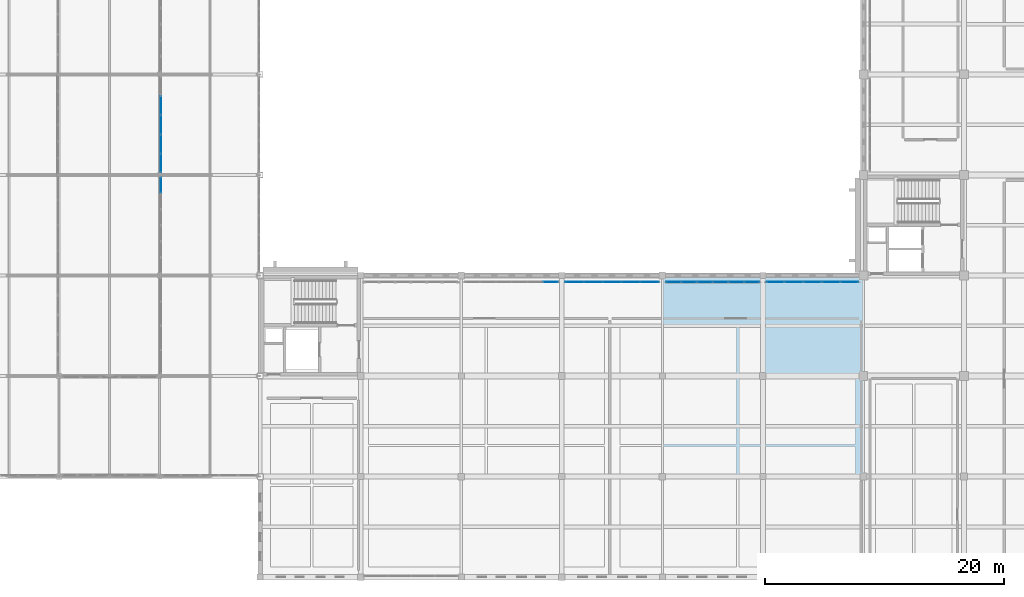
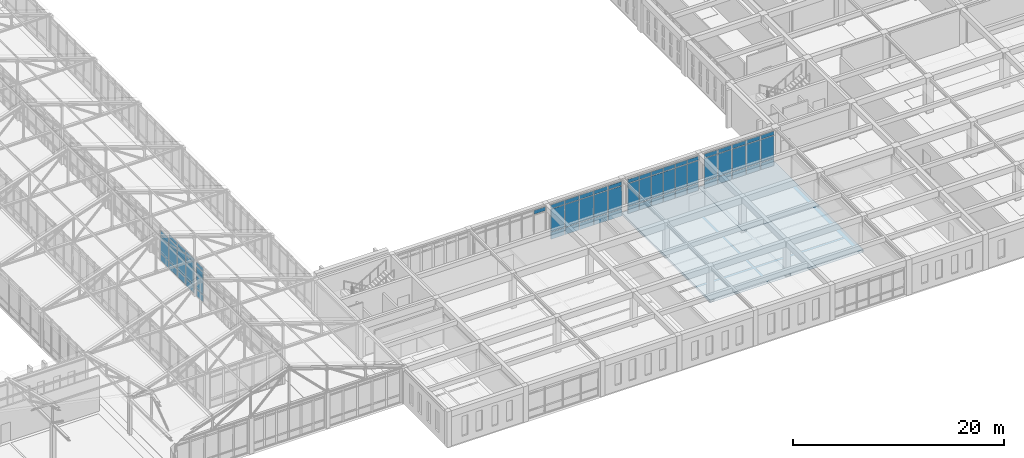
# One storey, part 117 of 192: 63 plates, 2 slabs, 6 elements without a shape of their own.
"""IFC4 building model written with IfcOpenShell, lengths in metres."""

import ifcopenshell
import ifcopenshell.guid

model = None  # the IFC model being written
_history = None  # IfcOwnerHistory: only IFC2X3 demands one
_inside = {}  # id of a spatial element -> (the spatial element, [elements in it])
_under = {}  # id of a project, library or spatial element -> (it, [spatial elements below it])
_declared = {}  # id of a project -> (the project, [libraries it declares])
_typed = {}  # id of a type object -> (the type object, [elements of that type])
_made_of = {}  # id of a material, layer set ... -> (it, [elements and type objects made of it])


def new_model(schema):
    """Start an empty IFC model of exactly this schema.

    Asked for "IFC4X3", IfcOpenShell would pick the latest addendum, in which some entities
    have other attributes; the version numbers below select the first issue.
    IFC2X3 requires an IfcOwnerHistory on every rooted entity: one is made here for all.
    """
    global model, _history
    if schema == "IFC4X3":
        model = ifcopenshell.file(schema_version=(4, 3, 0, 0))
    else:
        model = ifcopenshell.file(schema=schema)
    _inside.clear()
    _under.clear()
    _declared.clear()
    _typed.clear()
    _made_of.clear()
    _history = None
    if model.schema == "IFC2X3":
        org = make("IfcOrganization", Name="unknown")
        user = make(
            "IfcPersonAndOrganization",
            ThePerson=make("IfcPerson", FamilyName="unknown"),
            TheOrganization=org,
        )
        app = make(
            "IfcApplication",
            ApplicationDeveloper=org,
            Version="unknown",
            ApplicationFullName="unknown",
            ApplicationIdentifier="unknown",
        )
        _history = make(
            "IfcOwnerHistory",
            OwningUser=user,
            OwningApplication=app,
            ChangeAction="ADDED",
            CreationDate=0,
        )
    return model


def make(cls, **values):
    """One entity of the class cls with the attributes given. An attribute that is None is left unset."""
    return model.create_entity(
        cls, **{name: value for name, value in values.items() if value is not None}
    )


def rooted(cls, **values):
    """An entity with a GlobalId (a new one), such as an element, a storey or a relation."""
    return make(cls, GlobalId=ifcopenshell.guid.new(), OwnerHistory=_history, **values)


def si_unit(unit_type, name, prefix=None):
    """IfcSIUnit, for example si_unit("LENGTHUNIT", "METRE", prefix="MILLI")."""
    return make("IfcSIUnit", UnitType=unit_type, Prefix=prefix, Name=name)


def assignment(units):
    """IfcUnitAssignment: the units of a project."""
    return None if units is None else make("IfcUnitAssignment", Units=units)


def point(xyz):
    """IfcCartesianPoint."""
    return None if xyz is None else make("IfcCartesianPoint", Coordinates=xyz)


def direction(xyz):
    """IfcDirection."""
    return None if xyz is None else make("IfcDirection", DirectionRatios=xyz)


def frame(location, z_axis=None, x_axis=None):
    """IfcAxis2Placement3D, a coordinate frame: its origin and axes. An axis left out is left unset."""
    return make(
        "IfcAxis2Placement3D",
        Location=point(location),
        Axis=direction(z_axis),
        RefDirection=direction(x_axis),
    )


def frame_2d(location, x_axis=None):
    """IfcAxis2Placement2D, a coordinate frame in the plane: its origin and x axis."""
    return make(
        "IfcAxis2Placement2D", Location=point(location), RefDirection=direction(x_axis)
    )


def origin():
    """The frame at (0, 0, 0) with its axes left unset."""
    return frame((0.0, 0.0, 0.0))


def origin_2d():
    """The frame at (0, 0) in the plane with its x axis left unset."""
    return frame_2d((0.0, 0.0))


def place(relative_to, where):
    """IfcLocalPlacement: puts the frame where relative to a parent placement (None: the world)."""
    return make(
        "IfcLocalPlacement", PlacementRelTo=relative_to, RelativePlacement=where
    )


def context(
    kind, dimensions, precision=None, world=None, true_north=None, identifier=None
):
    """IfcGeometricRepresentationContext, for example the 3D "Model" context."""
    return make(
        "IfcGeometricRepresentationContext",
        ContextIdentifier=identifier,
        ContextType=kind,
        CoordinateSpaceDimension=dimensions,
        Precision=precision,
        WorldCoordinateSystem=world,
        TrueNorth=true_north,
    )


def subcontext(parent, identifier, kind, view, scale=None):
    """IfcGeometricRepresentationSubContext, for example "Body" below "Model"."""
    return make(
        "IfcGeometricRepresentationSubContext",
        ContextIdentifier=identifier,
        ContextType=kind,
        ParentContext=parent,
        TargetScale=scale,
        TargetView=view,
    )


def project(units=None, contexts=None):
    """IfcProject with its units and contexts."""
    return rooted(
        "IfcProject",
        Name="project",
        RepresentationContexts=contexts,
        UnitsInContext=assignment(units),
    )


def spatial(cls, under=None, at=None, **own):
    """A site, building, storey or space (cls), placed at a placement, below another one or the project."""
    s = rooted(cls, ObjectPlacement=at, **own)
    if under is not None:
        _under.setdefault(under.id(), (under, []))[1].append(s)
    return s


def polyline(points):
    """IfcPolyline through the points."""
    return make("IfcPolyline", Points=[point(p) for p in points])


def profile(cls, at=None, kind="AREA", **sizes):
    """A parametric profile (cls). Its sizes go by their IFC names, for example OverallWidth=200.0."""
    return make(cls, ProfileType=kind, Position=at, **sizes)


def rectangle(**sizes):
    """IfcRectangleProfileDef."""
    return profile("IfcRectangleProfileDef", **sizes)


def outline(outer, holes=None, kind="AREA"):
    """IfcArbitraryClosedProfileDef: a profile drawn as a closed curve; with holes, ...WithVoids."""
    if holes is None:
        return make("IfcArbitraryClosedProfileDef", ProfileType=kind, OuterCurve=outer)
    return make(
        "IfcArbitraryProfileDefWithVoids",
        ProfileType=kind,
        OuterCurve=outer,
        InnerCurves=holes,
    )


def extrude(swept, where, along, depth):
    """IfcExtrudedAreaSolid: the profile swept, set in the frame where, extruded along a direction by depth."""
    return make(
        "IfcExtrudedAreaSolid",
        SweptArea=swept,
        Position=where,
        ExtrudedDirection=direction(along),
        Depth=depth,
    )


def shape(context_of_items, identifier, shape_type, items):
    """IfcShapeRepresentation: the items that make up one representation, for example the "Body"."""
    return make(
        "IfcShapeRepresentation",
        ContextOfItems=context_of_items,
        RepresentationIdentifier=identifier,
        RepresentationType=shape_type,
        Items=items,
    )


def material(Name=None, Category=None):
    """IfcMaterial."""
    return make("IfcMaterial", Name=Name, Category=Category)


def layer(
    of_material, thickness, ventilated=None, Name=None, Category=None, Priority=None
):
    """IfcMaterialLayer: one layer of a wall or slab, of a material (None: an air gap)."""
    return make(
        "IfcMaterialLayer",
        Material=of_material,
        LayerThickness=thickness,
        IsVentilated=ventilated,
        Name=Name,
        Category=Category,
        Priority=Priority,
    )


def layer_set(layers, Name=None):
    """IfcMaterialLayerSet."""
    return make("IfcMaterialLayerSet", MaterialLayers=layers, LayerSetName=Name)


def made_of(thing, what):
    """Note that an element or type object is made of a material, layer set ...; save() writes the relation."""
    if what is not None:
        _made_of.setdefault(what.id(), (what, []))[1].append(thing)
    return thing


def type_object(cls, material=None, **own):
    """A type object (cls), such as IfcWallType, which elements share."""
    return made_of(rooted(cls, **own), material)


def element(
    cls,
    number,
    at=None,
    inside=None,
    cuts=None,
    type_object=None,
    material=None,
    context=None,
    identifier="Body",
    shape_type=None,
    held_by="IfcProductDefinitionShape",
    body=None,
    shapes=None,
    **own,
):
    """One element of the class cls, such as IfcWall. Its Tag is "e" and its number.

    at: its placement. inside: the storey or other place that contains it. cuts: it is an
    opening in that element (IfcRelVoidsElement). A single representation is given by context,
    identifier, shape_type and body (its items); several are given by shapes. held_by: the class
    of the entity that holds the representations. save() writes the other relations.
    """
    e = rooted(cls, Tag="e%d" % number, ObjectPlacement=at, **own)
    if body is not None:
        shapes = [shape(context, identifier, shape_type, body)]
    if shapes is not None:
        e.Representation = make(held_by, Representations=shapes)
    if inside is not None:
        _inside.setdefault(inside.id(), (inside, []))[1].append(e)
    if cuts is not None:
        rooted(
            "IfcRelVoidsElement", RelatingBuildingElement=cuts, RelatedOpeningElement=e
        )
    if type_object is not None:
        _typed.setdefault(type_object.id(), (type_object, []))[1].append(e)
    return made_of(e, material)


def aggregate(whole, parts):
    """IfcRelAggregates: a whole, such as a stair, and the parts it consists of."""
    return rooted("IfcRelAggregates", RelatingObject=whole, RelatedObjects=parts)


def save(model, path):
    """Write the relations noted so far, then the file.

    IfcRelAggregates (storeys below a building ...), IfcRelContainedInSpatialStructure (elements
    in a storey), IfcRelDefinesByType, IfcRelAssociatesMaterial and IfcRelDeclares: one each for
    every whole, place, type object, material and project.
    """
    for whole, parts in _under.values():
        aggregate(whole, parts)
    for where, things in _inside.values():
        rooted(
            "IfcRelContainedInSpatialStructure",
            RelatedElements=things,
            RelatingStructure=where,
        )
    for kind, things in _typed.values():
        rooted("IfcRelDefinesByType", RelatedObjects=things, RelatingType=kind)
    for what, things in _made_of.values():
        rooted("IfcRelAssociatesMaterial", RelatedObjects=things, RelatingMaterial=what)
    for by, libraries in _declared.values():
        rooted("IfcRelDeclares", RelatingContext=by, RelatedDefinitions=libraries)
    model.write(path)


model = new_model("IFC4")

# Units and contexts
model_context = context("Model", 3, precision=1e-05, world=origin(), true_north=direction((0.0, 1.0)))
body_context = subcontext(model_context, "Body", "Model", "MODEL_VIEW")
ifc_project = project(units=[si_unit("LENGTHUNIT", "METRE"), si_unit("AREAUNIT", "SQUARE_METRE"), si_unit("VOLUMEUNIT", "CUBIC_METRE"), si_unit("PLANEANGLEUNIT", "RADIAN"), si_unit("MASSUNIT", "GRAM", prefix="KILO")], contexts=[model_context])

# Site, building, storey
site_placement = place(None, origin())
site = spatial("IfcSite", under=ifc_project, at=site_placement, CompositionType="ELEMENT")
building_placement = place(site_placement, origin())
building = spatial("IfcBuilding", under=site, at=building_placement, Name="Kveldsbrygga Polytechnic", CompositionType="ELEMENT")
storey_placement = place(building_placement, frame((0.0, 0.0, 5.43994140625)))
storey = spatial("IfcBuildingStorey", under=building, at=storey_placement, Name="L01", CompositionType="ELEMENT", Elevation=5.43994140625)

# Curtain wall, plates
ifc_material_1 = material(Name="Anodised aluminium AW-6060", Category="aluminium")
ifc_layer_1 = layer(ifc_material_1, 0.18994140625)
ifc_layer_set_1 = layer_set([ifc_layer_1], Name="Anodised aluminium AW-6060")
curtain_wall_type_1 = type_object("IfcCurtainWallType", Name="CW-REFC-G", PredefinedType="USERDEFINED", material=ifc_layer_set_1)
curtain_wall_1_placement = place(storey_placement, origin())
curtain_wall_1 = element("IfcCurtainWall", 1, at=curtain_wall_1_placement, inside=storey, type_object=curtain_wall_type_1, Name="Curtain Wall CW-L01-Y-08-04", ObjectType="UNITISED CURTAIN WALL", PredefinedType="USERDEFINED")
ifc_material_2 = material(Name="Insulated triple low-E glass", Category="glass")
ifc_layer_2 = layer(ifc_material_2, 0.035888671875)
ifc_layer_set_2 = layer_set([ifc_layer_2], Name="Insulated triple low-E glass")
plate_type_1 = type_object("IfcPlateType", Name="CW-PAN-VIS36", PredefinedType="CURTAIN_PANEL", material=ifc_layer_set_2)
plate_1_placement = place(storey_placement, frame((67.300048828125, 34.582763671875, 0.06005859375), z_axis=(0.0, 0.0, 1.0), x_axis=(0.0, 1.0, 0.0)))
plate_1 = element("IfcPlate", 2, at=plate_1_placement, type_object=plate_type_1, Name="CW-07 panel 1.1", PredefinedType="CURTAIN_PANEL", context=body_context, shape_type="SweptSolid", body=[
    extrude(rectangle(XDim=1.505615234375, YDim=0.035888671875, at=origin_2d()), origin(), (0.0, 0.0, 1.0), 0.81005859375),
])
plate_2_placement = place(storey_placement, frame((67.300048828125, 34.582763671875, 0.93017578125), z_axis=(0.0, 0.0, 1.0), x_axis=(0.0, 1.0, 0.0)))
plate_2 = element("IfcPlate", 3, at=plate_2_placement, type_object=plate_type_1, Name="CW-07 panel 1.2", PredefinedType="CURTAIN_PANEL", context=body_context, shape_type="SweptSolid", body=[
    extrude(rectangle(XDim=1.505615234375, YDim=0.035888671875, at=origin_2d()), origin(), (0.0, 0.0, 1.0), 2.610107421875),
])
plate_3_placement = place(storey_placement, frame((67.300048828125, 34.582763671875, 3.60009765625), z_axis=(0.0, 0.0, 1.0), x_axis=(0.0, 1.0, 0.0)))
plate_3 = element("IfcPlate", 4, at=plate_3_placement, type_object=plate_type_1, Name="CW-07 panel 1.3", PredefinedType="CURTAIN_PANEL", context=body_context, shape_type="SweptSolid", body=[
    extrude(rectangle(XDim=1.505615234375, YDim=0.035888671875, at=origin_2d()), origin(), (0.0, 0.0, 1.0), 0.4599609375),
])
plate_4_placement = place(storey_placement, frame((67.300048828125, 36.181884765625, 0.06005859375), z_axis=(0.0, 0.0, 1.0), x_axis=(0.0, 1.0, 0.0)))
plate_4 = element("IfcPlate", 5, at=plate_4_placement, type_object=plate_type_1, Name="CW-07 panel 2.1", PredefinedType="CURTAIN_PANEL", context=body_context, shape_type="SweptSolid", body=[
    extrude(rectangle(XDim=1.54296875, YDim=0.035888671875, at=origin_2d()), origin(), (0.0, 0.0, 1.0), 0.81005859375),
])
plate_5_placement = place(storey_placement, frame((67.300048828125, 36.181884765625, 0.93017578125), z_axis=(0.0, 0.0, 1.0), x_axis=(0.0, 1.0, 0.0)))
plate_5 = element("IfcPlate", 6, at=plate_5_placement, type_object=plate_type_1, Name="CW-07 panel 2.2", PredefinedType="CURTAIN_PANEL", context=body_context, shape_type="SweptSolid", body=[
    extrude(rectangle(XDim=1.54296875, YDim=0.035888671875, at=origin_2d()), origin(), (0.0, 0.0, 1.0), 2.610107421875),
])
plate_6_placement = place(storey_placement, frame((67.300048828125, 36.181884765625, 3.60009765625), z_axis=(0.0, 0.0, 1.0), x_axis=(0.0, 1.0, 0.0)))
plate_6 = element("IfcPlate", 7, at=plate_6_placement, type_object=plate_type_1, Name="CW-07 panel 2.3", PredefinedType="CURTAIN_PANEL", context=body_context, shape_type="SweptSolid", body=[
    extrude(rectangle(XDim=1.54296875, YDim=0.035888671875, at=origin_2d()), origin(), (0.0, 0.0, 1.0), 0.4599609375),
])
plate_7_placement = place(storey_placement, frame((67.300048828125, 37.800048828125, 0.06005859375), z_axis=(0.0, 0.0, 1.0), x_axis=(0.0, 1.0, 0.0)))
plate_7 = element("IfcPlate", 8, at=plate_7_placement, type_object=plate_type_1, Name="CW-07 panel 3.1", PredefinedType="CURTAIN_PANEL", context=body_context, shape_type="SweptSolid", body=[
    extrude(rectangle(XDim=1.54296875, YDim=0.035888671875, at=origin_2d()), origin(), (0.0, 0.0, 1.0), 0.81005859375),
])
plate_8_placement = place(storey_placement, frame((67.300048828125, 37.800048828125, 0.93017578125), z_axis=(0.0, 0.0, 1.0), x_axis=(0.0, 1.0, 0.0)))
plate_8 = element("IfcPlate", 9, at=plate_8_placement, type_object=plate_type_1, Name="CW-07 panel 3.2", PredefinedType="CURTAIN_PANEL", context=body_context, shape_type="SweptSolid", body=[
    extrude(rectangle(XDim=1.54296875, YDim=0.035888671875, at=origin_2d()), origin(), (0.0, 0.0, 1.0), 2.610107421875),
])
plate_9_placement = place(storey_placement, frame((67.300048828125, 37.800048828125, 3.60009765625), z_axis=(0.0, 0.0, 1.0), x_axis=(0.0, 1.0, 0.0)))
plate_9 = element("IfcPlate", 10, at=plate_9_placement, type_object=plate_type_1, Name="CW-07 panel 3.3", PredefinedType="CURTAIN_PANEL", context=body_context, shape_type="SweptSolid", body=[
    extrude(rectangle(XDim=1.54296875, YDim=0.035888671875, at=origin_2d()), origin(), (0.0, 0.0, 1.0), 0.4599609375),
])
plate_10_placement = place(storey_placement, frame((67.300048828125, 39.41796875, 0.06005859375), z_axis=(0.0, 0.0, 1.0), x_axis=(0.0, 1.0, 0.0)))
plate_10 = element("IfcPlate", 11, at=plate_10_placement, type_object=plate_type_1, Name="CW-07 panel 4.1", PredefinedType="CURTAIN_PANEL", context=body_context, shape_type="SweptSolid", body=[
    extrude(rectangle(XDim=1.54296875, YDim=0.035888671875, at=origin_2d()), origin(), (0.0, 0.0, 1.0), 0.81005859375),
])
plate_11_placement = place(storey_placement, frame((67.300048828125, 39.41796875, 0.93017578125), z_axis=(0.0, 0.0, 1.0), x_axis=(0.0, 1.0, 0.0)))
plate_11 = element("IfcPlate", 12, at=plate_11_placement, type_object=plate_type_1, Name="CW-07 panel 4.2", PredefinedType="CURTAIN_PANEL", context=body_context, shape_type="SweptSolid", body=[
    extrude(rectangle(XDim=1.54296875, YDim=0.035888671875, at=origin_2d()), origin(), (0.0, 0.0, 1.0), 2.610107421875),
])
aggregate(curtain_wall_1, [plate_1, plate_2, plate_3, plate_4, plate_5, plate_6, plate_7, plate_8, plate_9, plate_10, plate_11])

# Curtain wall, plate
ifc_layer_3 = layer(ifc_material_1, 0.179931640625)
ifc_layer_set_3 = layer_set([ifc_layer_3], Name="Anodised aluminium AW-6060")
curtain_wall_type_2 = type_object("IfcCurtainWallType", Name="CW-CONC-A", PredefinedType="USERDEFINED", material=ifc_layer_set_3)
curtain_wall_2_placement = place(storey_placement, origin())
curtain_wall_2 = element("IfcCurtainWall", 13, at=curtain_wall_2_placement, inside=storey, type_object=curtain_wall_type_2, Name="Curtain Wall CW-L01-X-11-03", ObjectType="UNITISED CURTAIN WALL", PredefinedType="USERDEFINED")
plate_12_placement = place(storey_placement, frame((99.882080078125, 24.64990234375, 3.60009765625), z_axis=(0.0, 0.0, 1.0), x_axis=(1.0, 0.0, 0.0)))
plate_12 = element("IfcPlate", 14, at=plate_12_placement, type_object=plate_type_1, Name="CW-01 panel 6.3", PredefinedType="CURTAIN_PANEL", context=body_context, shape_type="SweptSolid", body=[
    extrude(rectangle(XDim=1.225830078125, YDim=0.035888671875, at=origin_2d()), origin(), (0.0, 0.0, 1.0), 0.4599609375),
])
aggregate(curtain_wall_2, [plate_12])

# Curtain wall, plates
ifc_layer_4 = layer(ifc_material_1, 0.179931640625)
ifc_layer_set_4 = layer_set([ifc_layer_4], Name="Anodised aluminium AW-6060")
curtain_wall_type_3 = type_object("IfcCurtainWallType", Name="CW-LANC-D", PredefinedType="USERDEFINED", material=ifc_layer_set_4)
curtain_wall_3_placement = place(storey_placement, origin())
curtain_wall_3 = element("IfcCurtainWall", 15, at=curtain_wall_3_placement, inside=storey, type_object=curtain_wall_type_3, Name="Curtain Wall CW-L01-X-14-03", ObjectType="UNITISED CURTAIN WALL", PredefinedType="USERDEFINED")
plate_13_placement = place(storey_placement, frame((118.643310546875, 24.64990234375, 0.06005859375), z_axis=(0.0, 0.0, 1.0), x_axis=(1.0, 0.0, 0.0)))
plate_13 = element("IfcPlate", 16, at=plate_13_placement, type_object=plate_type_1, Name="CW-04 panel 1.1", PredefinedType="CURTAIN_PANEL", context=body_context, shape_type="SweptSolid", body=[
    extrude(rectangle(XDim=1.446533203125, YDim=0.035888671875, at=origin_2d()), origin(), (0.0, 0.0, 1.0), 0.81005859375),
])
plate_14_placement = place(storey_placement, frame((118.643310546875, 24.64990234375, 0.93017578125), z_axis=(0.0, 0.0, 1.0), x_axis=(1.0, 0.0, 0.0)))
plate_14 = element("IfcPlate", 17, at=plate_14_placement, type_object=plate_type_1, Name="CW-04 panel 1.2", PredefinedType="CURTAIN_PANEL", context=body_context, shape_type="SweptSolid", body=[
    extrude(rectangle(XDim=1.446533203125, YDim=0.035888671875, at=origin_2d()), origin(), (0.0, 0.0, 1.0), 2.610107421875),
])
plate_15_placement = place(storey_placement, frame((118.643310546875, 24.64990234375, 3.60009765625), z_axis=(0.0, 0.0, 1.0), x_axis=(1.0, 0.0, 0.0)))
plate_15 = element("IfcPlate", 18, at=plate_15_placement, type_object=plate_type_1, Name="CW-04 panel 1.3", PredefinedType="CURTAIN_PANEL", context=body_context, shape_type="SweptSolid", body=[
    extrude(rectangle(XDim=1.446533203125, YDim=0.035888671875, at=origin_2d()), origin(), (0.0, 0.0, 1.0), 0.4599609375),
])
plate_16_placement = place(storey_placement, frame((120.18359375, 24.64990234375, 0.06005859375), z_axis=(0.0, 0.0, 1.0), x_axis=(1.0, 0.0, 0.0)))
plate_16 = element("IfcPlate", 19, at=plate_16_placement, type_object=plate_type_1, Name="CW-04 panel 2.1", PredefinedType="CURTAIN_PANEL", context=body_context, shape_type="SweptSolid", body=[
    extrude(rectangle(XDim=1.48388671875, YDim=0.035888671875, at=origin_2d()), origin(), (0.0, 0.0, 1.0), 0.81005859375),
])
plate_17_placement = place(storey_placement, frame((120.18359375, 24.64990234375, 0.93017578125), z_axis=(0.0, 0.0, 1.0), x_axis=(1.0, 0.0, 0.0)))
plate_17 = element("IfcPlate", 20, at=plate_17_placement, type_object=plate_type_1, Name="CW-04 panel 2.2", PredefinedType="CURTAIN_PANEL", context=body_context, shape_type="SweptSolid", body=[
    extrude(rectangle(XDim=1.48388671875, YDim=0.035888671875, at=origin_2d()), origin(), (0.0, 0.0, 1.0), 2.610107421875),
])
plate_18_placement = place(storey_placement, frame((120.18359375, 24.64990234375, 3.60009765625), z_axis=(0.0, 0.0, 1.0), x_axis=(1.0, 0.0, 0.0)))
plate_18 = element("IfcPlate", 21, at=plate_18_placement, type_object=plate_type_1, Name="CW-04 panel 2.3", PredefinedType="CURTAIN_PANEL", context=body_context, shape_type="SweptSolid", body=[
    extrude(rectangle(XDim=1.48388671875, YDim=0.035888671875, at=origin_2d()), origin(), (0.0, 0.0, 1.0), 0.4599609375),
])
plate_19_placement = place(storey_placement, frame((121.742431640625, 24.64990234375, 0.06005859375), z_axis=(0.0, 0.0, 1.0), x_axis=(1.0, 0.0, 0.0)))
plate_19 = element("IfcPlate", 22, at=plate_19_placement, type_object=plate_type_1, Name="CW-04 panel 3.1", PredefinedType="CURTAIN_PANEL", context=body_context, shape_type="SweptSolid", body=[
    extrude(rectangle(XDim=1.48388671875, YDim=0.035888671875, at=origin_2d()), origin(), (0.0, 0.0, 1.0), 0.81005859375),
])
plate_20_placement = place(storey_placement, frame((121.742431640625, 24.64990234375, 0.93017578125), z_axis=(0.0, 0.0, 1.0), x_axis=(1.0, 0.0, 0.0)))
plate_20 = element("IfcPlate", 23, at=plate_20_placement, type_object=plate_type_1, Name="CW-04 panel 3.2", PredefinedType="CURTAIN_PANEL", context=body_context, shape_type="SweptSolid", body=[
    extrude(rectangle(XDim=1.48388671875, YDim=0.035888671875, at=origin_2d()), origin(), (0.0, 0.0, 1.0), 2.610107421875),
])
plate_21_placement = place(storey_placement, frame((121.742431640625, 24.64990234375, 3.60009765625), z_axis=(0.0, 0.0, 1.0), x_axis=(1.0, 0.0, 0.0)))
plate_21 = element("IfcPlate", 24, at=plate_21_placement, type_object=plate_type_1, Name="CW-04 panel 3.3", PredefinedType="CURTAIN_PANEL", context=body_context, shape_type="SweptSolid", body=[
    extrude(rectangle(XDim=1.48388671875, YDim=0.035888671875, at=origin_2d()), origin(), (0.0, 0.0, 1.0), 0.4599609375),
])
plate_22_placement = place(storey_placement, frame((123.301513671875, 24.64990234375, 0.06005859375), z_axis=(0.0, 0.0, 1.0), x_axis=(1.0, 0.0, 0.0)))
plate_22 = element("IfcPlate", 25, at=plate_22_placement, type_object=plate_type_1, Name="CW-04 panel 4.1", PredefinedType="CURTAIN_PANEL", context=body_context, shape_type="SweptSolid", body=[
    extrude(rectangle(XDim=1.48388671875, YDim=0.035888671875, at=origin_2d()), origin(), (0.0, 0.0, 1.0), 0.81005859375),
])
plate_23_placement = place(storey_placement, frame((123.301513671875, 24.64990234375, 0.93017578125), z_axis=(0.0, 0.0, 1.0), x_axis=(1.0, 0.0, 0.0)))
plate_23 = element("IfcPlate", 26, at=plate_23_placement, type_object=plate_type_1, Name="CW-04 panel 4.2", PredefinedType="CURTAIN_PANEL", context=body_context, shape_type="SweptSolid", body=[
    extrude(rectangle(XDim=1.48388671875, YDim=0.035888671875, at=origin_2d()), origin(), (0.0, 0.0, 1.0), 2.610107421875),
])
plate_24_placement = place(storey_placement, frame((123.301513671875, 24.64990234375, 3.60009765625), z_axis=(0.0, 0.0, 1.0), x_axis=(1.0, 0.0, 0.0)))
plate_24 = element("IfcPlate", 27, at=plate_24_placement, type_object=plate_type_1, Name="CW-04 panel 4.3", PredefinedType="CURTAIN_PANEL", context=body_context, shape_type="SweptSolid", body=[
    extrude(rectangle(XDim=1.48388671875, YDim=0.035888671875, at=origin_2d()), origin(), (0.0, 0.0, 1.0), 0.4599609375),
])
plate_25_placement = place(storey_placement, frame((124.841796875, 24.64990234375, 0.06005859375), z_axis=(0.0, 0.0, 1.0), x_axis=(1.0, 0.0, 0.0)))
plate_25 = element("IfcPlate", 28, at=plate_25_placement, type_object=plate_type_1, Name="CW-04 panel 5.1", PredefinedType="CURTAIN_PANEL", context=body_context, shape_type="SweptSolid", body=[
    extrude(rectangle(XDim=1.446533203125, YDim=0.035888671875, at=origin_2d()), origin(), (0.0, 0.0, 1.0), 0.81005859375),
])
plate_26_placement = place(storey_placement, frame((124.841796875, 24.64990234375, 0.93017578125), z_axis=(0.0, 0.0, 1.0), x_axis=(1.0, 0.0, 0.0)))
plate_26 = element("IfcPlate", 29, at=plate_26_placement, type_object=plate_type_1, Name="CW-04 panel 5.2", PredefinedType="CURTAIN_PANEL", context=body_context, shape_type="SweptSolid", body=[
    extrude(rectangle(XDim=1.446533203125, YDim=0.035888671875, at=origin_2d()), origin(), (0.0, 0.0, 1.0), 2.610107421875),
])
plate_27_placement = place(storey_placement, frame((124.841796875, 24.64990234375, 3.60009765625), z_axis=(0.0, 0.0, 1.0), x_axis=(1.0, 0.0, 0.0)))
plate_27 = element("IfcPlate", 30, at=plate_27_placement, type_object=plate_type_1, Name="CW-04 panel 5.3", PredefinedType="CURTAIN_PANEL", context=body_context, shape_type="SweptSolid", body=[
    extrude(rectangle(XDim=1.446533203125, YDim=0.035888671875, at=origin_2d()), origin(), (0.0, 0.0, 1.0), 0.4599609375),
])
aggregate(curtain_wall_3, [plate_13, plate_14, plate_15, plate_16, plate_17, plate_18, plate_19, plate_20, plate_21, plate_22, plate_23, plate_24, plate_25, plate_26, plate_27])

ifc_layer_5 = layer(ifc_material_1, 0.199951171875)
ifc_layer_set_5 = layer_set([ifc_layer_5], Name="Anodised aluminium AW-6060")
curtain_wall_type_4 = type_object("IfcCurtainWallType", Name="CW-CONC-B", PredefinedType="USERDEFINED", material=ifc_layer_set_5)
curtain_wall_4_placement = place(storey_placement, origin())
curtain_wall_4 = element("IfcCurtainWall", 31, at=curtain_wall_4_placement, inside=storey, type_object=curtain_wall_type_4, Name="Curtain Wall CW-L01-X-12-03", ObjectType="UNITISED CURTAIN WALL", PredefinedType="USERDEFINED")
ifc_layer_6 = layer(ifc_material_2, 0.0419921875)
ifc_layer_set_6 = layer_set([ifc_layer_6], Name="Insulated triple low-E glass")
plate_type_2 = type_object("IfcPlateType", Name="CW-PAN-VIS42", PredefinedType="CURTAIN_PANEL", material=ifc_layer_set_6)
plate_28_placement = place(storey_placement, frame((101.849609375, 24.64990234375, 0.06005859375), z_axis=(0.0, 0.0, 1.0), x_axis=(1.0, 0.0, 0.0)))
plate_28 = element("IfcPlate", 32, at=plate_28_placement, type_object=plate_type_2, Name="CW-02 panel 1.1", PredefinedType="CURTAIN_PANEL", context=body_context, shape_type="SweptSolid", body=[
    extrude(rectangle(XDim=1.489013671875, YDim=0.0419921875, at=origin_2d()), origin(), (0.0, 0.0, 1.0), 0.81005859375),
])
plate_29_placement = place(storey_placement, frame((101.849609375, 24.64990234375, 0.93017578125), z_axis=(0.0, 0.0, 1.0), x_axis=(1.0, 0.0, 0.0)))
plate_29 = element("IfcPlate", 33, at=plate_29_placement, type_object=plate_type_2, Name="CW-02 panel 1.2", PredefinedType="CURTAIN_PANEL", context=body_context, shape_type="SweptSolid", body=[
    extrude(rectangle(XDim=1.489013671875, YDim=0.0419921875, at=origin_2d()), origin(), (0.0, 0.0, 1.0), 2.610107421875),
])
plate_30_placement = place(storey_placement, frame((101.849609375, 24.64990234375, 3.60009765625), z_axis=(0.0, 0.0, 1.0), x_axis=(1.0, 0.0, 0.0)))
plate_30 = element("IfcPlate", 34, at=plate_30_placement, type_object=plate_type_2, Name="CW-02 panel 1.3", PredefinedType="CURTAIN_PANEL", context=body_context, shape_type="SweptSolid", body=[
    extrude(rectangle(XDim=1.489013671875, YDim=0.0419921875, at=origin_2d()), origin(), (0.0, 0.0, 1.0), 0.4599609375),
])
plate_31_placement = place(storey_placement, frame((103.41357421875, 24.64990234375, 0.06005859375), z_axis=(0.0, 0.0, 1.0), x_axis=(1.0, 0.0, 0.0)))
plate_31 = element("IfcPlate", 35, at=plate_31_placement, type_object=plate_type_2, Name="CW-02 panel 2.1", PredefinedType="CURTAIN_PANEL", context=body_context, shape_type="SweptSolid", body=[
    extrude(rectangle(XDim=1.51904296875, YDim=0.0419921875, at=origin_2d()), origin(), (0.0, 0.0, 1.0), 0.81005859375),
])
plate_32_placement = place(storey_placement, frame((103.41357421875, 24.64990234375, 0.93017578125), z_axis=(0.0, 0.0, 1.0), x_axis=(1.0, 0.0, 0.0)))
plate_32 = element("IfcPlate", 36, at=plate_32_placement, type_object=plate_type_2, Name="CW-02 panel 2.2", PredefinedType="CURTAIN_PANEL", context=body_context, shape_type="SweptSolid", body=[
    extrude(rectangle(XDim=1.51904296875, YDim=0.0419921875, at=origin_2d()), origin(), (0.0, 0.0, 1.0), 2.610107421875),
])
plate_33_placement = place(storey_placement, frame((103.41357421875, 24.64990234375, 3.60009765625), z_axis=(0.0, 0.0, 1.0), x_axis=(1.0, 0.0, 0.0)))
plate_33 = element("IfcPlate", 37, at=plate_33_placement, type_object=plate_type_2, Name="CW-02 panel 2.3", PredefinedType="CURTAIN_PANEL", context=body_context, shape_type="SweptSolid", body=[
    extrude(rectangle(XDim=1.51904296875, YDim=0.0419921875, at=origin_2d()), origin(), (0.0, 0.0, 1.0), 0.4599609375),
])
plate_34_placement = place(storey_placement, frame((104.992431640625, 24.64990234375, 0.06005859375), z_axis=(0.0, 0.0, 1.0), x_axis=(1.0, 0.0, 0.0)))
plate_34 = element("IfcPlate", 38, at=plate_34_placement, type_object=plate_type_2, Name="CW-02 panel 3.1", PredefinedType="CURTAIN_PANEL", context=body_context, shape_type="SweptSolid", body=[
    extrude(rectangle(XDim=1.51904296875, YDim=0.0419921875, at=origin_2d()), origin(), (0.0, 0.0, 1.0), 0.81005859375),
])
plate_35_placement = place(storey_placement, frame((104.992431640625, 24.64990234375, 0.93017578125), z_axis=(0.0, 0.0, 1.0), x_axis=(1.0, 0.0, 0.0)))
plate_35 = element("IfcPlate", 39, at=plate_35_placement, type_object=plate_type_2, Name="CW-02 panel 3.2", PredefinedType="CURTAIN_PANEL", context=body_context, shape_type="SweptSolid", body=[
    extrude(rectangle(XDim=1.51904296875, YDim=0.0419921875, at=origin_2d()), origin(), (0.0, 0.0, 1.0), 2.610107421875),
])
plate_36_placement = place(storey_placement, frame((104.992431640625, 24.64990234375, 3.60009765625), z_axis=(0.0, 0.0, 1.0), x_axis=(1.0, 0.0, 0.0)))
plate_36 = element("IfcPlate", 40, at=plate_36_placement, type_object=plate_type_2, Name="CW-02 panel 3.3", PredefinedType="CURTAIN_PANEL", context=body_context, shape_type="SweptSolid", body=[
    extrude(rectangle(XDim=1.51904296875, YDim=0.0419921875, at=origin_2d()), origin(), (0.0, 0.0, 1.0), 0.4599609375),
])
plate_37_placement = place(storey_placement, frame((106.571533203125, 24.64990234375, 0.06005859375), z_axis=(0.0, 0.0, 1.0), x_axis=(1.0, 0.0, 0.0)))
plate_37 = element("IfcPlate", 41, at=plate_37_placement, type_object=plate_type_2, Name="CW-02 panel 4.1", PredefinedType="CURTAIN_PANEL", context=body_context, shape_type="SweptSolid", body=[
    extrude(rectangle(XDim=1.51904296875, YDim=0.0419921875, at=origin_2d()), origin(), (0.0, 0.0, 1.0), 0.81005859375),
])
plate_38_placement = place(storey_placement, frame((106.571533203125, 24.64990234375, 0.93017578125), z_axis=(0.0, 0.0, 1.0), x_axis=(1.0, 0.0, 0.0)))
plate_38 = element("IfcPlate", 42, at=plate_38_placement, type_object=plate_type_2, Name="CW-02 panel 4.2", PredefinedType="CURTAIN_PANEL", context=body_context, shape_type="SweptSolid", body=[
    extrude(rectangle(XDim=1.51904296875, YDim=0.0419921875, at=origin_2d()), origin(), (0.0, 0.0, 1.0), 2.610107421875),
])
plate_39_placement = place(storey_placement, frame((106.571533203125, 24.64990234375, 3.60009765625), z_axis=(0.0, 0.0, 1.0), x_axis=(1.0, 0.0, 0.0)))
plate_39 = element("IfcPlate", 43, at=plate_39_placement, type_object=plate_type_2, Name="CW-02 panel 4.3", PredefinedType="CURTAIN_PANEL", context=body_context, shape_type="SweptSolid", body=[
    extrude(rectangle(XDim=1.51904296875, YDim=0.0419921875, at=origin_2d()), origin(), (0.0, 0.0, 1.0), 0.4599609375),
])
plate_40_placement = place(storey_placement, frame((108.135498046875, 24.64990234375, 0.06005859375), z_axis=(0.0, 0.0, 1.0), x_axis=(1.0, 0.0, 0.0)))
plate_40 = element("IfcPlate", 44, at=plate_40_placement, type_object=plate_type_2, Name="CW-02 panel 5.1", PredefinedType="CURTAIN_PANEL", context=body_context, shape_type="SweptSolid", body=[
    extrude(rectangle(XDim=1.489013671875, YDim=0.0419921875, at=origin_2d()), origin(), (0.0, 0.0, 1.0), 0.81005859375),
])
plate_41_placement = place(storey_placement, frame((108.135498046875, 24.64990234375, 0.93017578125), z_axis=(0.0, 0.0, 1.0), x_axis=(1.0, 0.0, 0.0)))
plate_41 = element("IfcPlate", 45, at=plate_41_placement, type_object=plate_type_2, Name="CW-02 panel 5.2", PredefinedType="CURTAIN_PANEL", context=body_context, shape_type="SweptSolid", body=[
    extrude(rectangle(XDim=1.489013671875, YDim=0.0419921875, at=origin_2d()), origin(), (0.0, 0.0, 1.0), 2.610107421875),
])
plate_42_placement = place(storey_placement, frame((108.135498046875, 24.64990234375, 3.60009765625), z_axis=(0.0, 0.0, 1.0), x_axis=(1.0, 0.0, 0.0)))
plate_42 = element("IfcPlate", 46, at=plate_42_placement, type_object=plate_type_2, Name="CW-02 panel 5.3", PredefinedType="CURTAIN_PANEL", context=body_context, shape_type="SweptSolid", body=[
    extrude(rectangle(XDim=1.489013671875, YDim=0.0419921875, at=origin_2d()), origin(), (0.0, 0.0, 1.0), 0.4599609375),
])
aggregate(curtain_wall_4, [plate_28, plate_29, plate_30, plate_31, plate_32, plate_33, plate_34, plate_35, plate_36, plate_37, plate_38, plate_39, plate_40, plate_41, plate_42])

ifc_layer_7 = layer(ifc_material_1, 0.169921875)
ifc_layer_set_7 = layer_set([ifc_layer_7], Name="Anodised aluminium AW-6060")
curtain_wall_type_5 = type_object("IfcCurtainWallType", Name="CW-FOYR-F", PredefinedType="USERDEFINED", material=ifc_layer_set_7)
curtain_wall_5_placement = place(storey_placement, origin())
curtain_wall_5 = element("IfcCurtainWall", 47, at=curtain_wall_5_placement, inside=storey, type_object=curtain_wall_type_5, Name="Curtain Wall CW-L01-Y-08-03", ObjectType="STICK CURTAIN WALL", PredefinedType="USERDEFINED")
ifc_layer_8 = layer(ifc_material_2, 0.048095703125)
ifc_layer_set_8 = layer_set([ifc_layer_8], Name="Insulated triple low-E glass")
plate_type_3 = type_object("IfcPlateType", Name="CW-PAN-VIS48", PredefinedType="CURTAIN_PANEL", material=ifc_layer_set_8)
plate_43_placement = place(storey_placement, frame((67.300048828125, 32.755859375, 0.074951171875), z_axis=(0.0, 0.0, 1.0), x_axis=(0.0, 1.0, 0.0)))
plate_43 = element("IfcPlate", 48, at=plate_43_placement, type_object=plate_type_3, Name="CW-06 panel 6.1", PredefinedType="CURTAIN_PANEL", context=body_context, shape_type="SweptSolid", body=[
    extrude(rectangle(XDim=1.25830078125, YDim=0.048095703125, at=origin_2d()), origin(), (0.0, 0.0, 1.0), 0.78759765625),
])
plate_44_placement = place(storey_placement, frame((67.300048828125, 32.755859375, 0.9375), z_axis=(0.0, 0.0, 1.0), x_axis=(0.0, 1.0, 0.0)))
plate_44 = element("IfcPlate", 49, at=plate_44_placement, type_object=plate_type_3, Name="CW-06 panel 6.2", PredefinedType="CURTAIN_PANEL", context=body_context, shape_type="SweptSolid", body=[
    extrude(rectangle(XDim=1.25830078125, YDim=0.048095703125, at=origin_2d()), origin(), (0.0, 0.0, 1.0), 2.594970703125),
])
plate_45_placement = place(storey_placement, frame((67.300048828125, 32.755859375, 3.607666015625), z_axis=(0.0, 0.0, 1.0), x_axis=(0.0, 1.0, 0.0)))
plate_45 = element("IfcPlate", 50, at=plate_45_placement, type_object=plate_type_3, Name="CW-06 panel 6.3", PredefinedType="CURTAIN_PANEL", context=body_context, shape_type="SweptSolid", body=[
    extrude(rectangle(XDim=1.25830078125, YDim=0.048095703125, at=origin_2d()), origin(), (0.0, 0.0, 1.0), 0.4375),
])
aggregate(curtain_wall_5, [plate_43, plate_44, plate_45])

ifc_layer_9 = layer(ifc_material_1, 0.159912109375)
ifc_layer_set_9 = layer_set([ifc_layer_9], Name="Anodised aluminium AW-6060")
curtain_wall_type_6 = type_object("IfcCurtainWallType", Name="CW-CLER-C", PredefinedType="USERDEFINED", material=ifc_layer_set_9)
curtain_wall_6_placement = place(storey_placement, origin())
curtain_wall_6 = element("IfcCurtainWall", 51, at=curtain_wall_6_placement, inside=storey, type_object=curtain_wall_type_6, Name="Curtain Wall CW-L01-X-13-03", ObjectType="STICK CURTAIN WALL", PredefinedType="USERDEFINED")
plate_46_placement = place(storey_placement, frame((110.13671875, 24.64990234375, 0.074951171875), z_axis=(0.0, 0.0, 1.0), x_axis=(1.0, 0.0, 0.0)))
plate_46 = element("IfcPlate", 52, at=plate_46_placement, type_object=plate_type_3, Name="CW-03 panel 1.1", PredefinedType="CURTAIN_PANEL", context=body_context, shape_type="SweptSolid", body=[
    extrude(rectangle(XDim=1.203369140625, YDim=0.048095703125, at=origin_2d()), origin(), (0.0, 0.0, 1.0), 0.78759765625),
])
plate_47_placement = place(storey_placement, frame((110.13671875, 24.64990234375, 0.9375), z_axis=(0.0, 0.0, 1.0), x_axis=(1.0, 0.0, 0.0)))
plate_47 = element("IfcPlate", 53, at=plate_47_placement, type_object=plate_type_3, Name="CW-03 panel 1.2", PredefinedType="CURTAIN_PANEL", context=body_context, shape_type="SweptSolid", body=[
    extrude(rectangle(XDim=1.203369140625, YDim=0.048095703125, at=origin_2d()), origin(), (0.0, 0.0, 1.0), 2.594970703125),
])
plate_48_placement = place(storey_placement, frame((110.13671875, 24.64990234375, 3.607666015625), z_axis=(0.0, 0.0, 1.0), x_axis=(1.0, 0.0, 0.0)))
plate_48 = element("IfcPlate", 54, at=plate_48_placement, type_object=plate_type_3, Name="CW-03 panel 1.3", PredefinedType="CURTAIN_PANEL", context=body_context, shape_type="SweptSolid", body=[
    extrude(rectangle(XDim=1.203369140625, YDim=0.048095703125, at=origin_2d()), origin(), (0.0, 0.0, 1.0), 0.4375),
])
plate_49_placement = place(storey_placement, frame((111.433837890625, 24.64990234375, 0.074951171875), z_axis=(0.0, 0.0, 1.0), x_axis=(1.0, 0.0, 0.0)))
plate_49 = element("IfcPlate", 55, at=plate_49_placement, type_object=plate_type_3, Name="CW-03 panel 2.1", PredefinedType="CURTAIN_PANEL", context=body_context, shape_type="SweptSolid", body=[
    extrude(rectangle(XDim=1.24072265625, YDim=0.048095703125, at=origin_2d()), origin(), (0.0, 0.0, 1.0), 0.78759765625),
])
plate_50_placement = place(storey_placement, frame((111.433837890625, 24.64990234375, 0.9375), z_axis=(0.0, 0.0, 1.0), x_axis=(1.0, 0.0, 0.0)))
plate_50 = element("IfcPlate", 56, at=plate_50_placement, type_object=plate_type_3, Name="CW-03 panel 2.2", PredefinedType="CURTAIN_PANEL", context=body_context, shape_type="SweptSolid", body=[
    extrude(rectangle(XDim=1.24072265625, YDim=0.048095703125, at=origin_2d()), origin(), (0.0, 0.0, 1.0), 2.594970703125),
])
plate_51_placement = place(storey_placement, frame((111.433837890625, 24.64990234375, 3.607666015625), z_axis=(0.0, 0.0, 1.0), x_axis=(1.0, 0.0, 0.0)))
plate_51 = element("IfcPlate", 57, at=plate_51_placement, type_object=plate_type_3, Name="CW-03 panel 2.3", PredefinedType="CURTAIN_PANEL", context=body_context, shape_type="SweptSolid", body=[
    extrude(rectangle(XDim=1.24072265625, YDim=0.048095703125, at=origin_2d()), origin(), (0.0, 0.0, 1.0), 0.4375),
])
plate_52_placement = place(storey_placement, frame((112.74951171875, 24.64990234375, 0.074951171875), z_axis=(0.0, 0.0, 1.0), x_axis=(1.0, 0.0, 0.0)))
plate_52 = element("IfcPlate", 58, at=plate_52_placement, type_object=plate_type_3, Name="CW-03 panel 3.1", PredefinedType="CURTAIN_PANEL", context=body_context, shape_type="SweptSolid", body=[
    extrude(rectangle(XDim=1.24072265625, YDim=0.048095703125, at=origin_2d()), origin(), (0.0, 0.0, 1.0), 0.78759765625),
])
plate_53_placement = place(storey_placement, frame((112.74951171875, 24.64990234375, 0.9375), z_axis=(0.0, 0.0, 1.0), x_axis=(1.0, 0.0, 0.0)))
plate_53 = element("IfcPlate", 59, at=plate_53_placement, type_object=plate_type_3, Name="CW-03 panel 3.2", PredefinedType="CURTAIN_PANEL", context=body_context, shape_type="SweptSolid", body=[
    extrude(rectangle(XDim=1.24072265625, YDim=0.048095703125, at=origin_2d()), origin(), (0.0, 0.0, 1.0), 2.594970703125),
])
plate_54_placement = place(storey_placement, frame((112.74951171875, 24.64990234375, 3.607666015625), z_axis=(0.0, 0.0, 1.0), x_axis=(1.0, 0.0, 0.0)))
plate_54 = element("IfcPlate", 60, at=plate_54_placement, type_object=plate_type_3, Name="CW-03 panel 3.3", PredefinedType="CURTAIN_PANEL", context=body_context, shape_type="SweptSolid", body=[
    extrude(rectangle(XDim=1.24072265625, YDim=0.048095703125, at=origin_2d()), origin(), (0.0, 0.0, 1.0), 0.4375),
])
plate_55_placement = place(storey_placement, frame((114.0654296875, 24.64990234375, 0.074951171875), z_axis=(0.0, 0.0, 1.0), x_axis=(1.0, 0.0, 0.0)))
plate_55 = element("IfcPlate", 61, at=plate_55_placement, type_object=plate_type_3, Name="CW-03 panel 4.1", PredefinedType="CURTAIN_PANEL", context=body_context, shape_type="SweptSolid", body=[
    extrude(rectangle(XDim=1.24072265625, YDim=0.048095703125, at=origin_2d()), origin(), (0.0, 0.0, 1.0), 0.78759765625),
])
plate_56_placement = place(storey_placement, frame((114.0654296875, 24.64990234375, 0.9375), z_axis=(0.0, 0.0, 1.0), x_axis=(1.0, 0.0, 0.0)))
plate_56 = element("IfcPlate", 62, at=plate_56_placement, type_object=plate_type_3, Name="CW-03 panel 4.2", PredefinedType="CURTAIN_PANEL", context=body_context, shape_type="SweptSolid", body=[
    extrude(rectangle(XDim=1.24072265625, YDim=0.048095703125, at=origin_2d()), origin(), (0.0, 0.0, 1.0), 2.594970703125),
])
plate_57_placement = place(storey_placement, frame((114.0654296875, 24.64990234375, 3.607666015625), z_axis=(0.0, 0.0, 1.0), x_axis=(1.0, 0.0, 0.0)))
plate_57 = element("IfcPlate", 63, at=plate_57_placement, type_object=plate_type_3, Name="CW-03 panel 4.3", PredefinedType="CURTAIN_PANEL", context=body_context, shape_type="SweptSolid", body=[
    extrude(rectangle(XDim=1.24072265625, YDim=0.048095703125, at=origin_2d()), origin(), (0.0, 0.0, 1.0), 0.4375),
])
plate_58_placement = place(storey_placement, frame((115.38134765625, 24.64990234375, 0.074951171875), z_axis=(0.0, 0.0, 1.0), x_axis=(1.0, 0.0, 0.0)))
plate_58 = element("IfcPlate", 64, at=plate_58_placement, type_object=plate_type_3, Name="CW-03 panel 5.1", PredefinedType="CURTAIN_PANEL", context=body_context, shape_type="SweptSolid", body=[
    extrude(rectangle(XDim=1.24072265625, YDim=0.048095703125, at=origin_2d()), origin(), (0.0, 0.0, 1.0), 0.78759765625),
])
plate_59_placement = place(storey_placement, frame((115.38134765625, 24.64990234375, 0.9375), z_axis=(0.0, 0.0, 1.0), x_axis=(1.0, 0.0, 0.0)))
plate_59 = element("IfcPlate", 65, at=plate_59_placement, type_object=plate_type_3, Name="CW-03 panel 5.2", PredefinedType="CURTAIN_PANEL", context=body_context, shape_type="SweptSolid", body=[
    extrude(rectangle(XDim=1.24072265625, YDim=0.048095703125, at=origin_2d()), origin(), (0.0, 0.0, 1.0), 2.594970703125),
])
plate_60_placement = place(storey_placement, frame((115.38134765625, 24.64990234375, 3.607666015625), z_axis=(0.0, 0.0, 1.0), x_axis=(1.0, 0.0, 0.0)))
plate_60 = element("IfcPlate", 66, at=plate_60_placement, type_object=plate_type_3, Name="CW-03 panel 5.3", PredefinedType="CURTAIN_PANEL", context=body_context, shape_type="SweptSolid", body=[
    extrude(rectangle(XDim=1.24072265625, YDim=0.048095703125, at=origin_2d()), origin(), (0.0, 0.0, 1.0), 0.4375),
])
plate_61_placement = place(storey_placement, frame((116.67822265625, 24.64990234375, 0.074951171875), z_axis=(0.0, 0.0, 1.0), x_axis=(1.0, 0.0, 0.0)))
plate_61 = element("IfcPlate", 67, at=plate_61_placement, type_object=plate_type_3, Name="CW-03 panel 6.1", PredefinedType="CURTAIN_PANEL", context=body_context, shape_type="SweptSolid", body=[
    extrude(rectangle(XDim=1.203369140625, YDim=0.048095703125, at=origin_2d()), origin(), (0.0, 0.0, 1.0), 0.78759765625),
])
plate_62_placement = place(storey_placement, frame((116.67822265625, 24.64990234375, 0.9375), z_axis=(0.0, 0.0, 1.0), x_axis=(1.0, 0.0, 0.0)))
plate_62 = element("IfcPlate", 68, at=plate_62_placement, type_object=plate_type_3, Name="CW-03 panel 6.2", PredefinedType="CURTAIN_PANEL", context=body_context, shape_type="SweptSolid", body=[
    extrude(rectangle(XDim=1.203369140625, YDim=0.048095703125, at=origin_2d()), origin(), (0.0, 0.0, 1.0), 2.594970703125),
])
plate_63_placement = place(storey_placement, frame((116.67822265625, 24.64990234375, 3.607666015625), z_axis=(0.0, 0.0, 1.0), x_axis=(1.0, 0.0, 0.0)))
plate_63 = element("IfcPlate", 69, at=plate_63_placement, type_object=plate_type_3, Name="CW-03 panel 6.3", PredefinedType="CURTAIN_PANEL", context=body_context, shape_type="SweptSolid", body=[
    extrude(rectangle(XDim=1.203369140625, YDim=0.048095703125, at=origin_2d()), origin(), (0.0, 0.0, 1.0), 0.4375),
])
aggregate(curtain_wall_6, [plate_46, plate_47, plate_48, plate_49, plate_50, plate_51, plate_52, plate_53, plate_54, plate_55, plate_56, plate_57, plate_58, plate_59, plate_60, plate_61, plate_62, plate_63])

# Slabs
ifc_material_3 = material(Name="Concrete C35/45", Category="concrete")
ifc_layer_10 = layer(ifc_material_3, 0.280029296875)
ifc_layer_set_10 = layer_set([ifc_layer_10], Name="Concrete C35/45")
slab_type = type_object("IfcSlabType", Name="SLB-STD-280", PredefinedType="FLOOR", material=ifc_layer_set_10)
slab_1_placement = place(storey_placement, frame((0.0, 0.0, -0.280029296875)))
element("IfcSlab", 70, at=slab_1_placement, inside=storey, type_object=slab_type, Name="Slab SLB-L01-V3-L04-1", PredefinedType="FLOOR", context=body_context, shape_type="SweptSolid", body=[
    extrude(outline(polyline([(109.199951171875, 8.39990234375), (109.199951171875, 16.800048828125), (109.199951171875, 25.199951171875), (117.60009765625, 25.199951171875), (117.60009765625, 16.800048828125), (126.0, 16.800048828125), (126.0, 8.39990234375), (117.60009765625, 8.39990234375), (109.199951171875, 8.39990234375)])), origin(), (0.0, 0.0, 1.0), 0.280029296875),
])
slab_2_placement = place(storey_placement, frame((0.0, 0.0, -0.280029296875)))
element("IfcSlab", 71, at=slab_2_placement, inside=storey, type_object=slab_type, Name="Slab SLB-L01-V3-Z3-2", PredefinedType="FLOOR", context=body_context, shape_type="SweptSolid", body=[
    extrude(outline(polyline([(117.60009765625, 16.800048828125), (117.60009765625, 25.199951171875), (126.0, 25.199951171875), (126.0, 16.800048828125), (117.60009765625, 16.800048828125)])), origin(), (0.0, 0.0, 1.0), 0.280029296875),
])

save(model, "model.ifc")
